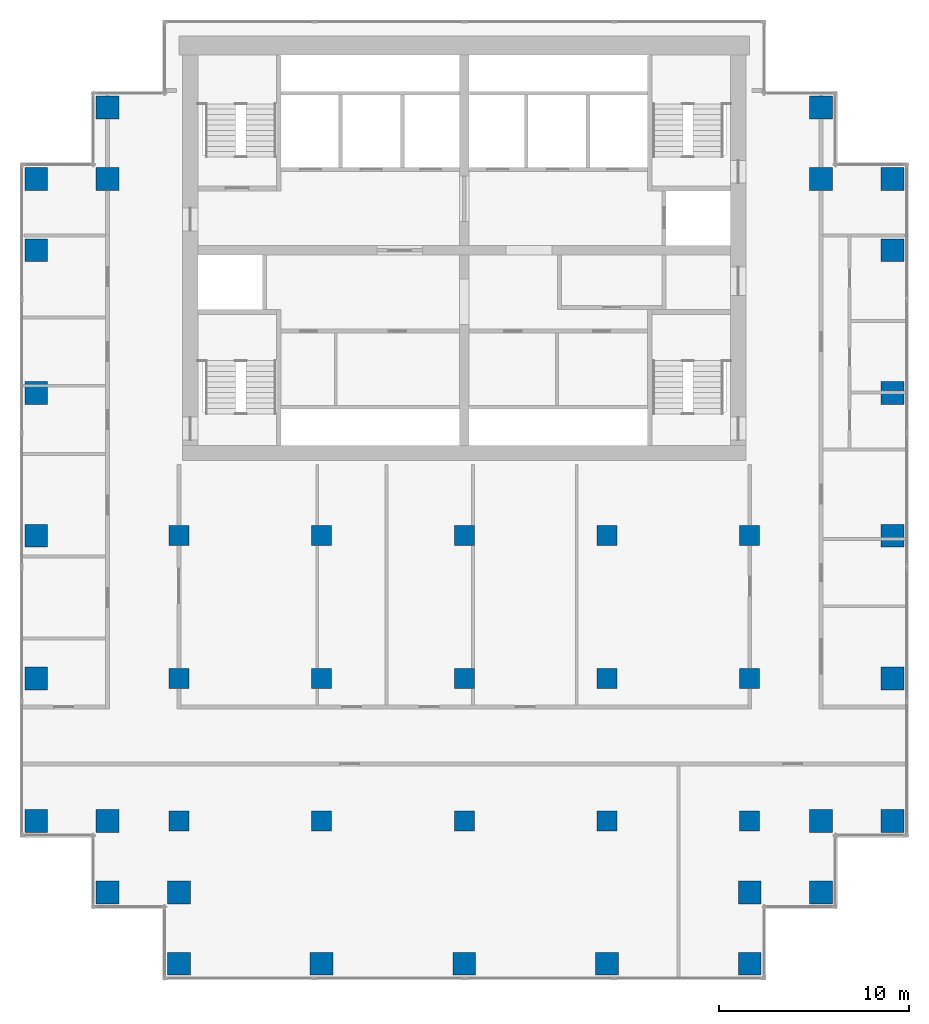
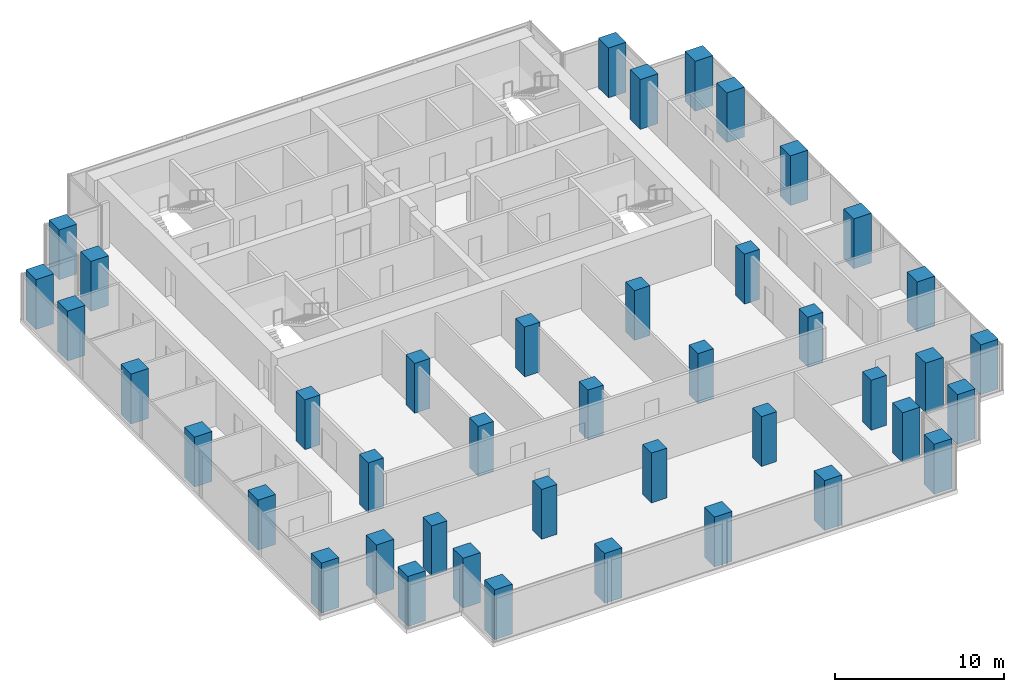
# One storey, part 1 of 10: 42 columns.
"""IFC4 building model written with IfcOpenShell, lengths in metres."""

from ifc_helpers import new_model, si_unit, direction, frame, origin, origin_2d, place, context, subcontext, project, spatial, rectangle, extrude, material, material_profile, profile_set, type_object, element, save


model = new_model("IFC4")

# Units and contexts
model_context = context("Model", 3, precision=1e-05, world=origin(), true_north=direction((0.0, 1.0)))
body_context = subcontext(model_context, "Body", "Model", "MODEL_VIEW")
ifc_project = project(units=[si_unit("LENGTHUNIT", "METRE"), si_unit("AREAUNIT", "SQUARE_METRE"), si_unit("VOLUMEUNIT", "CUBIC_METRE"), si_unit("PLANEANGLEUNIT", "RADIAN"), si_unit("MASSUNIT", "GRAM", prefix="KILO")], contexts=[model_context])

# Site, building, storey
site_placement = place(None, origin())
site = spatial("IfcSite", under=ifc_project, at=site_placement, CompositionType="ELEMENT")
building_placement = place(site_placement, origin())
building = spatial("IfcBuilding", under=site, at=building_placement, Name="Pilkhan Gate Tower", CompositionType="ELEMENT")
storey_placement = place(building_placement, frame((0.0, 0.0, 176.5)))
storey = spatial("IfcBuildingStorey", under=building, at=storey_placement, Name="L45", CompositionType="ELEMENT", Elevation=176.5)

# Columns
ifc_material = material(Name="Concrete C60/75", Category="concrete")
ifc_material_profile_1 = material_profile(ifc_material, rectangle(XDim=1.050048828125, YDim=1.050048828125, at=origin_2d()), Name="RC 1050x1050")
ifc_profile_set_1 = profile_set([ifc_material_profile_1], Name="Concrete C60/75")
column_type_1 = type_object("IfcColumnType", Name="Column C105 RC 1050x1050 C60/75", PredefinedType="COLUMN", material=ifc_profile_set_1)
for number, where, z_axis, x_axis, name in (
    (1, (60.0, 52.5, 0.0), (0.0, 0.0, 1.0), (1.0, 0.0, 0.0), "Column 7/D L45"),
    (2, (60.0, 60.0, 0.0), (0.0, 0.0, 1.0), (1.0, 0.0, 0.0), "Column 7/F L45"),
    (3, (60.0, 67.5, 0.0), (0.0, 0.0, 1.0), (1.0, 0.0, 0.0), "Column 7/H L45"),
    (4, (67.5, 52.5, 0.0), (0.0, 0.0, 1.0), (1.0, 0.0, 0.0), "Column 9/D L45"),
    (5, (67.5, 60.0, 0.0), (0.0, 0.0, 1.0), (1.0, 0.0, 0.0), "Column 9/F L45"),
    (6, (67.5, 67.5, 0.0), (0.0, 0.0, 1.0), (1.0, 0.0, 0.0), "Column 9/H L45"),
    (7, (75.0, 52.5, 0.0), (0.0, 0.0, 1.0), (1.0, 0.0, 0.0), "Column 11/D L45"),
    (8, (75.0, 60.0, 0.0), (0.0, 0.0, 1.0), (1.0, 0.0, 0.0), "Column 11/F L45"),
    (9, (75.0, 67.5, 0.0), (0.0, 0.0, 1.0), (1.0, 0.0, 0.0), "Column 11/H L45"),
    (10, (82.5, 52.5, 0.0), (0.0, 0.0, 1.0), (1.0, 0.0, 0.0), "Column 13/D L45"),
    (11, (82.5, 60.0, 0.0), (0.0, 0.0, 1.0), (1.0, 0.0, 0.0), "Column 13/F L45"),
    (12, (82.5, 67.5, 0.0), (0.0, 0.0, 1.0), (1.0, 0.0, 0.0), "Column 13/H L45"),
    (13, (90.0, 52.5, 0.0), (0.0, 0.0, 1.0), (1.0, 0.0, 0.0), "Column 15/D L45"),
    (14, (90.0, 60.0, 0.0), (0.0, 0.0, 1.0), (1.0, 0.0, 0.0), "Column 15/F L45"),
    (15, (90.0, 67.5, 0.0), (0.0, 0.0, 1.0), (1.0, 0.0, 0.0), "Column 15/H L45"),
):
    element("IfcColumn", number, at=place(storey_placement, frame(where, z_axis=z_axis, x_axis=x_axis)), inside=storey, type_object=column_type_1, Name=name, PredefinedType="COLUMN", context=body_context, shape_type="SweptSolid", body=[
        extrude(rectangle(XDim=1.050048828125, YDim=1.050048828125, at=origin_2d()), origin(), (0.0, 0.0, 1.0), 3.60009765625),
    ])
ifc_material_profile_2 = material_profile(ifc_material, rectangle(XDim=1.199951171875, YDim=1.199951171875, at=origin_2d()), Name="RC 1200x1200")
ifc_profile_set_2 = profile_set([ifc_material_profile_2], Name="Concrete C60/75")
column_type_2 = type_object("IfcColumnType", Name="Column C120 RC 1200x1200 C60/75", PredefinedType="COLUMN", material=ifc_profile_set_2)
for number, where, z_axis, x_axis, name in (
    (16, (52.5, 52.5, 0.0), (0.0, 0.0, 1.0), (1.0, 0.0, 0.0), "Column 5/D L45"),
    (17, (52.5, 60.0, 0.0), (0.0, 0.0, 1.0), (1.0, 0.0, 0.0), "Column 5/F L45"),
    (18, (52.5, 67.5, 0.0), (0.0, 0.0, 1.0), (1.0, 0.0, 0.0), "Column 5/H L45"),
    (19, (52.5, 75.0, 0.0), (0.0, 0.0, 1.0), (1.0, 0.0, 0.0), "Column 5/K L45"),
    (20, (52.5, 82.5, 0.0), (0.0, 0.0, 1.0), (1.0, 0.0, 0.0), "Column 5/M L45"),
    (21, (52.5, 86.25, 0.0), (0.0, 0.0, 1.0), (1.0, 0.0, 0.0), "Column 5/N L45"),
    (22, (56.25, 48.75, 0.0), (0.0, 0.0, 1.0), (1.0, 0.0, 0.0), "Column 6/C L45"),
    (23, (56.25, 52.5, 0.0), (0.0, 0.0, 1.0), (1.0, 0.0, 0.0), "Column 6/D L45"),
    (24, (56.25, 86.25, 0.0), (0.0, 0.0, 1.0), (1.0, 0.0, 0.0), "Column 6/N L45"),
    (25, (56.25, 90.0, 0.0), (0.0, 0.0, 1.0), (1.0, 0.0, 0.0), "Column 6/P L45"),
    (26, (60.0, 45.0, 0.0), (0.0, 0.0, 1.0), (1.0, 0.0, 0.0), "Column 7/B L45"),
    (27, (60.0, 48.75, 0.0), (0.0, 0.0, 1.0), (1.0, 0.0, 0.0), "Column 7/C L45"),
    (28, (67.5, 45.0, 0.0), (0.0, 0.0, 1.0), (1.0, 0.0, 0.0), "Column 9/B L45"),
    (29, (75.0, 45.0, 0.0), (0.0, 0.0, 1.0), (1.0, 0.0, 0.0), "Column 11/B L45"),
    (30, (82.5, 45.0, 0.0), (0.0, 0.0, 1.0), (1.0, 0.0, 0.0), "Column 13/B L45"),
    (31, (90.0, 45.0, 0.0), (0.0, 0.0, 1.0), (1.0, 0.0, 0.0), "Column 15/B L45"),
    (32, (90.0, 48.75, 0.0), (0.0, 0.0, 1.0), (1.0, 0.0, 0.0), "Column 15/C L45"),
    (33, (93.75, 48.75, 0.0), (0.0, 0.0, 1.0), (1.0, 0.0, 0.0), "Column 16/C L45"),
    (34, (93.75, 52.5, 0.0), (0.0, 0.0, 1.0), (1.0, 0.0, 0.0), "Column 16/D L45"),
    (35, (93.75, 86.25, 0.0), (0.0, 0.0, 1.0), (1.0, 0.0, 0.0), "Column 16/N L45"),
    (36, (93.75, 90.0, 0.0), (0.0, 0.0, 1.0), (1.0, 0.0, 0.0), "Column 16/P L45"),
    (37, (97.5, 52.5, 0.0), (0.0, 0.0, 1.0), (1.0, 0.0, 0.0), "Column 17/D L45"),
    (38, (97.5, 60.0, 0.0), (0.0, 0.0, 1.0), (1.0, 0.0, 0.0), "Column 17/F L45"),
    (39, (97.5, 67.5, 0.0), (0.0, 0.0, 1.0), (1.0, 0.0, 0.0), "Column 17/H L45"),
    (40, (97.5, 75.0, 0.0), (0.0, 0.0, 1.0), (1.0, 0.0, 0.0), "Column 17/K L45"),
    (41, (97.5, 82.5, 0.0), (0.0, 0.0, 1.0), (1.0, 0.0, 0.0), "Column 17/M L45"),
    (42, (97.5, 86.25, 0.0), (0.0, 0.0, 1.0), (1.0, 0.0, 0.0), "Column 17/N L45"),
):
    element("IfcColumn", number, at=place(storey_placement, frame(where, z_axis=z_axis, x_axis=x_axis)), inside=storey, type_object=column_type_2, Name=name, PredefinedType="COLUMN", context=body_context, shape_type="SweptSolid", body=[
        extrude(rectangle(XDim=1.199951171875, YDim=1.199951171875, at=origin_2d()), origin(), (0.0, 0.0, 1.0), 3.60009765625),
    ])

save(model, "model.ifc")
